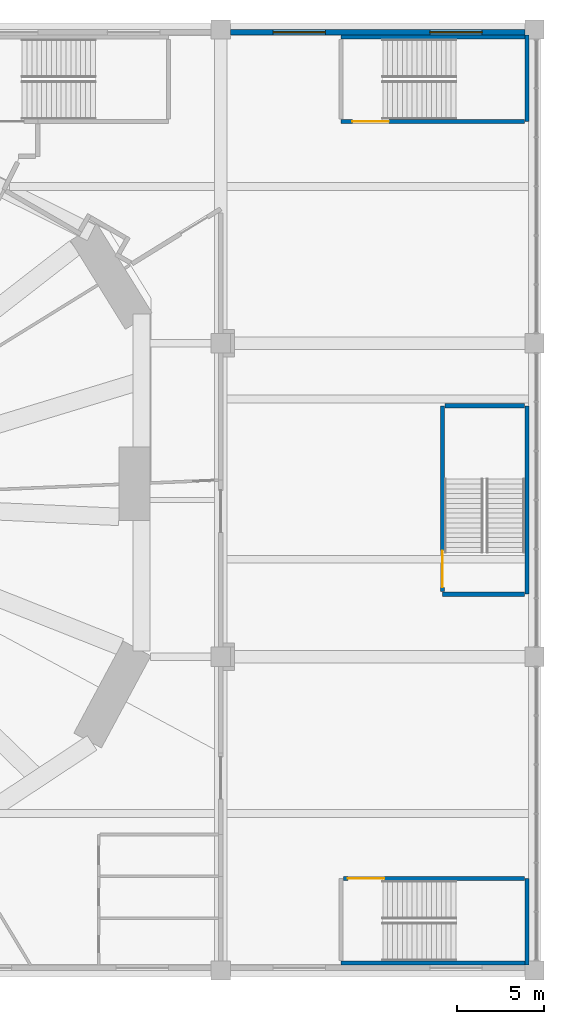
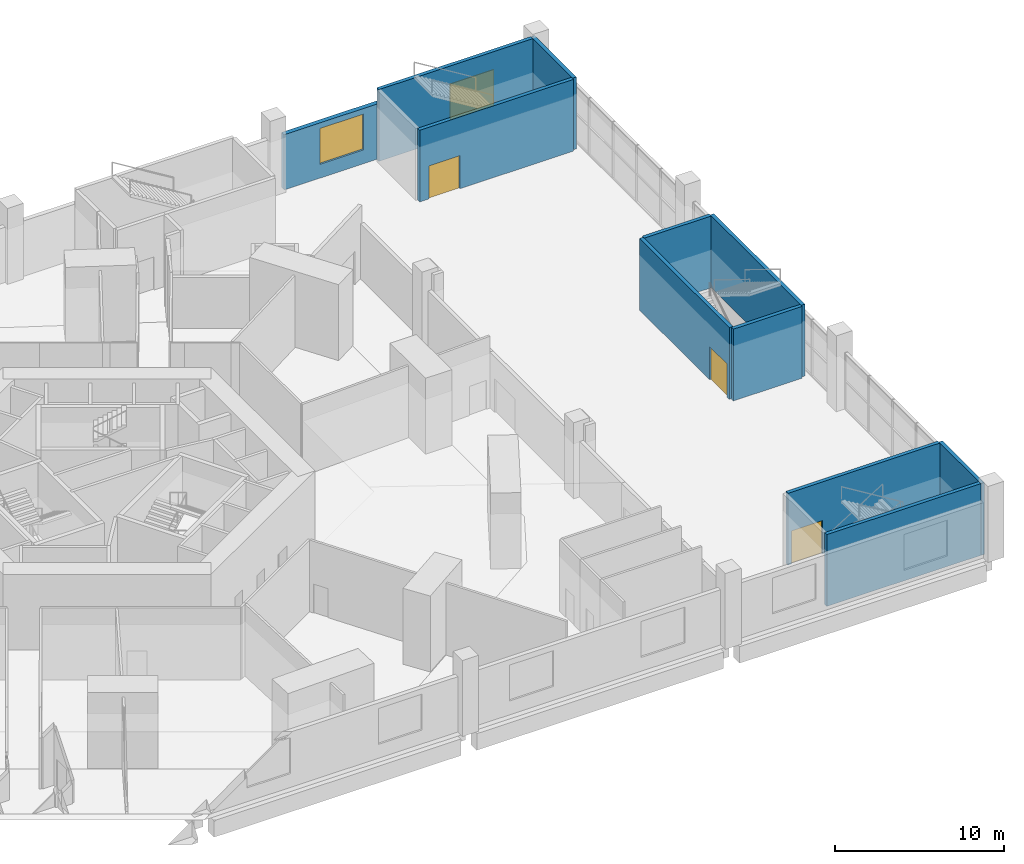
# One storey, part 10 of 16: 11 walls, 3 doors, 2 windows, 5 openings.
"""IFC4 building model written with IfcOpenShell, lengths in metres."""

from ifc_helpers import new_model, si_unit, direction, frame, frame_2d, origin, place, context, subcontext, project, spatial, rectangle, extrude, material, layer, layer_set, type_object, element, fill, save


model = new_model("IFC4")

# Units and contexts
model_context = context("Model", 3, precision=1e-05, world=origin(), true_north=direction((0.0, 1.0)))
body_context = subcontext(model_context, "Body", "Model", "MODEL_VIEW")
ifc_project = project(units=[si_unit("LENGTHUNIT", "METRE"), si_unit("AREAUNIT", "SQUARE_METRE"), si_unit("VOLUMEUNIT", "CUBIC_METRE"), si_unit("PLANEANGLEUNIT", "RADIAN"), si_unit("MASSUNIT", "GRAM", prefix="KILO")], contexts=[model_context])

# Site, building, storey
site_placement = place(None, origin())
site = spatial("IfcSite", under=ifc_project, at=site_placement, CompositionType="ELEMENT")
building_placement = place(site_placement, origin())
building = spatial("IfcBuilding", under=site, at=building_placement, Name="Vanh Sen Convention Tower", CompositionType="ELEMENT")
storey_placement = place(building_placement, frame((0.0, 0.0, 7.5)))
storey = spatial("IfcBuildingStorey", under=building, at=storey_placement, Name="L01", CompositionType="ELEMENT", Elevation=7.5)

# Wall, opening, door
ifc_material_1 = material(Name="Concrete C40/50", Category="concrete")
ifc_layer_1 = layer(ifc_material_1, 0.25)
ifc_layer_set_1 = layer_set([ifc_layer_1], Name="Concrete C40/50")
wall_type_1 = type_object("IfcWallType", Name="Concrete wall 250 REI 180", PredefinedType="SOLIDWALL", material=ifc_layer_set_1)
wall_1_placement = place(storey_placement, frame((34.0400390625, -21.72509765625, 0.0), z_axis=(0.0, 0.0, 1.0), x_axis=(1.0, 0.0, 0.0)))
wall_1 = element("IfcWall", 1, at=wall_1_placement, inside=storey, type_object=wall_type_1, Name="Fire-resisting wall L01-014", PredefinedType="SOLIDWALL", context=body_context, shape_type="SweptSolid", body=[
    extrude(rectangle(XDim=10.39990234375, YDim=0.25, at=frame_2d((5.199951171875, 0.0))), origin(), (0.0, 0.0, 1.0), 5.199951171875),
])
opening_1_placement = place(wall_1_placement, frame((0.25, 0.0, 0.0)))
opening_1 = element("IfcOpeningElement", 2, at=opening_1_placement, cuts=wall_1, Name="Opening D01104", PredefinedType="OPENING", context=body_context, shape_type="SweptSolid", body=[
    extrude(rectangle(XDim=2.10009765625, YDim=2.39990234375, at=frame_2d((1.050048828125, 1.199951171875))), frame((0.0, 0.135009765625, 0.0), z_axis=(0.0, -1.0, 0.0), x_axis=(1.0, 0.0, 0.0)), (0.0, 0.0, 1.0), 0.27001953125),
])
ifc_material_2 = material(Name="Steel S355", Category="steel")
door_type = type_object("IfcDoorType", Name="Stair door 2100 EI 60", OperationType="DOUBLE_DOOR_SINGLE_SWING", PredefinedType="DOOR", material=ifc_material_2)
door_1_placement = place(opening_1_placement, frame((2.10009765625, 0.0, 0.0), z_axis=(0.0, 0.0, 1.0), x_axis=(-1.0, 0.0, 0.0)))
door_1 = element("IfcDoor", 3, at=door_1_placement, inside=storey, type_object=door_type, Name="Stair door D01104", OperationType="DOUBLE_DOOR_SINGLE_SWING", OverallHeight=2.39990234375, OverallWidth=2.10009765625, PredefinedType="DOOR", context=body_context, shape_type="SweptSolid", body=[
    extrude(rectangle(XDim=2.10009765625, YDim=2.39990234375, at=frame_2d((1.050048828125, 1.199951171875))), frame((0.0, 0.02490234375, 0.0), z_axis=(0.0, -1.0, 0.0), x_axis=(1.0, 0.0, 0.0)), (0.0, 0.0, 1.0), 0.050048828125),
])
fill(opening_1, door_1)

# Wall
wall_2_placement = place(storey_placement, frame((44.43994140625, -5.39990234375, 0.0), z_axis=(0.0, 0.0, 1.0), x_axis=(-1.0, 0.0, 0.0)))
element("IfcWall", 4, at=wall_2_placement, inside=storey, type_object=wall_type_1, Name="Fire-resisting wall L01-046", PredefinedType="SOLIDWALL", context=body_context, shape_type="SweptSolid", body=[
    extrude(rectangle(XDim=4.71484375, YDim=0.25, at=frame_2d((2.357421875, 0.0))), origin(), (0.0, 0.0, 1.0), 5.199951171875),
])

# Wall, opening, door
wall_3_placement = place(storey_placement, frame((39.72509765625, -5.260009765625, 0.0), z_axis=(0.0, 0.0, 1.0), x_axis=(0.0, 1.0, 0.0)))
wall_3 = element("IfcWall", 5, at=wall_3_placement, inside=storey, type_object=wall_type_1, Name="Fire-resisting wall L01-047", PredefinedType="SOLIDWALL", context=body_context, shape_type="SweptSolid", body=[
    extrude(rectangle(XDim=10.659912109375, YDim=0.25, at=frame_2d((5.330078125, 0.0))), origin(), (0.0, 0.0, 1.0), 5.199951171875),
])
opening_2_placement = place(wall_3_placement, frame((0.25, 0.0, 0.0)))
opening_2 = element("IfcOpeningElement", 6, at=opening_2_placement, cuts=wall_3, Name="Opening D01113", PredefinedType="OPENING", context=body_context, shape_type="SweptSolid", body=[
    extrude(rectangle(XDim=2.10009765625, YDim=2.39990234375, at=frame_2d((1.050048828125, 1.199951171875))), frame((0.0, 0.135009765625, 0.0), z_axis=(0.0, -1.0, 0.0), x_axis=(1.0, 0.0, 0.0)), (0.0, 0.0, 1.0), 0.27001953125),
])
door_2_placement = place(opening_2_placement, frame((2.10009765625, 0.0, 0.0), z_axis=(0.0, 0.0, 1.0), x_axis=(-1.0, 0.0, 0.0)))
door_2 = element("IfcDoor", 7, at=door_2_placement, inside=storey, type_object=door_type, Name="Stair door D01113", OperationType="DOUBLE_DOOR_SINGLE_SWING", OverallHeight=2.39990234375, OverallWidth=2.10009765625, PredefinedType="DOOR", context=body_context, shape_type="SweptSolid", body=[
    extrude(rectangle(XDim=2.10009765625, YDim=2.39990234375, at=frame_2d((1.050048828125, 1.199951171875))), frame((0.0, 0.02490234375, 0.0), z_axis=(0.0, -1.0, 0.0), x_axis=(1.0, 0.0, 0.0)), (0.0, 0.0, 1.0), 0.050048828125),
])
fill(opening_2, door_2)

# Wall
wall_4_placement = place(storey_placement, frame((39.864990234375, 5.39990234375, 0.0), z_axis=(0.0, 0.0, 1.0), x_axis=(1.0, 0.0, 0.0)))
element("IfcWall", 8, at=wall_4_placement, inside=storey, type_object=wall_type_1, Name="Fire-resisting wall L01-054", PredefinedType="SOLIDWALL", context=body_context, shape_type="SweptSolid", body=[
    extrude(rectangle(XDim=4.574951171875, YDim=0.25, at=frame_2d((2.28759765625, 0.0))), origin(), (0.0, 0.0, 1.0), 5.199951171875),
])

# Wall, opening, door
wall_5_placement = place(storey_placement, frame((44.43994140625, 21.72509765625, 0.0), z_axis=(0.0, 0.0, 1.0), x_axis=(-1.0, 0.0, 0.0)))
wall_5 = element("IfcWall", 9, at=wall_5_placement, inside=storey, type_object=wall_type_1, Name="Fire-resisting wall L01-107", PredefinedType="SOLIDWALL", context=body_context, shape_type="SweptSolid", body=[
    extrude(rectangle(XDim=10.5400390625, YDim=0.25, at=frame_2d((5.27001953125, 0.0))), origin(), (0.0, 0.0, 1.0), 5.199951171875),
])
opening_3_placement = place(wall_5_placement, frame((7.7900390625, 0.0, 0.0)))
opening_3 = element("IfcOpeningElement", 10, at=opening_3_placement, cuts=wall_5, Name="Opening D01124", PredefinedType="OPENING", context=body_context, shape_type="SweptSolid", body=[
    extrude(rectangle(XDim=2.10009765625, YDim=2.39990234375, at=frame_2d((1.050048828125, 1.199951171875))), frame((0.0, 0.135009765625, 0.0), z_axis=(0.0, -1.0, 0.0), x_axis=(1.0, 0.0, 0.0)), (0.0, 0.0, 1.0), 0.27001953125),
])
door_3_placement = place(opening_3_placement, frame((2.10009765625, 0.0, 0.0), z_axis=(0.0, 0.0, 1.0), x_axis=(-1.0, 0.0, 0.0)))
door_3 = element("IfcDoor", 11, at=door_3_placement, inside=storey, type_object=door_type, Name="Stair door D01124", OperationType="DOUBLE_DOOR_SINGLE_SWING", OverallHeight=2.39990234375, OverallWidth=2.10009765625, PredefinedType="DOOR", context=body_context, shape_type="SweptSolid", body=[
    extrude(rectangle(XDim=2.10009765625, YDim=2.39990234375, at=frame_2d((1.050048828125, 1.199951171875))), frame((0.0, 0.02490234375, 0.0), z_axis=(0.0, -1.0, 0.0), x_axis=(1.0, 0.0, 0.0)), (0.0, 0.0, 1.0), 0.050048828125),
])
fill(opening_3, door_3)

# Walls
wall_6_placement = place(storey_placement, frame((44.574951171875, 21.72509765625, 0.0), z_axis=(0.0, 0.0, 1.0), x_axis=(0.0, 1.0, 0.0)))
element("IfcWall", 12, at=wall_6_placement, inside=storey, type_object=wall_type_1, Name="Stair enclosure wall PS1 L01", PredefinedType="SOLIDWALL", context=body_context, shape_type="SweptSolid", body=[
    extrude(rectangle(XDim=4.974853515625, YDim=0.25, at=frame_2d((2.4873046875, 0.0))), origin(), (0.0, 0.0, 1.0), 5.199951171875),
])
wall_7_placement = place(storey_placement, frame((44.449951171875, 26.574951171875, 0.0), z_axis=(0.0, 0.0, 1.0), x_axis=(-1.0, 0.0, 0.0)))
element("IfcWall", 13, at=wall_7_placement, inside=storey, type_object=wall_type_1, Name="Stair enclosure wall PS1 L01", PredefinedType="SOLIDWALL", context=body_context, shape_type="SweptSolid", body=[
    extrude(rectangle(XDim=10.550048828125, YDim=0.25, at=frame_2d((5.27490234375, 0.0))), origin(), (0.0, 0.0, 1.0), 5.199951171875),
])
wall_8_placement = place(storey_placement, frame((44.574951171875, -21.72509765625, 0.0), z_axis=(0.0, 0.0, 1.0), x_axis=(0.0, -1.0, 0.0)))
element("IfcWall", 14, at=wall_8_placement, inside=storey, type_object=wall_type_1, Name="Stair enclosure wall PS2 L01", PredefinedType="SOLIDWALL", context=body_context, shape_type="SweptSolid", body=[
    extrude(rectangle(XDim=4.974853515625, YDim=0.25, at=frame_2d((2.4873046875, 0.0))), origin(), (0.0, 0.0, 1.0), 5.199951171875),
])
wall_9_placement = place(storey_placement, frame((44.449951171875, -26.574951171875, 0.0), z_axis=(0.0, 0.0, 1.0), x_axis=(-1.0, 0.0, 0.0)))
element("IfcWall", 15, at=wall_9_placement, inside=storey, type_object=wall_type_1, Name="Stair enclosure wall PS2 L01", PredefinedType="SOLIDWALL", context=body_context, shape_type="SweptSolid", body=[
    extrude(rectangle(XDim=10.550048828125, YDim=0.25, at=frame_2d((5.27490234375, 0.0))), origin(), (0.0, 0.0, 1.0), 5.199951171875),
])
wall_10_placement = place(storey_placement, frame((44.574951171875, 5.39990234375, 0.0), z_axis=(0.0, 0.0, 1.0), x_axis=(0.0, -1.0, 0.0)))
element("IfcWall", 16, at=wall_10_placement, inside=storey, type_object=wall_type_1, Name="Stair enclosure wall PS3 L01", PredefinedType="SOLIDWALL", context=body_context, shape_type="SweptSolid", body=[
    extrude(rectangle(XDim=10.7998046875, YDim=0.25, at=frame_2d((5.39990234375, 0.0))), origin(), (0.0, 0.0, 1.0), 5.199951171875),
])

# Wall, openings, windows
ifc_material_3 = material(Name="Concrete C50/60", Category="concrete")
ifc_layer_2 = layer(ifc_material_3, 0.300048828125)
ifc_layer_set_2 = layer_set([ifc_layer_2], Name="Concrete C50/60")
wall_type_2 = type_object("IfcWallType", Name="Podium wall 300", PredefinedType="STANDARD", material=ifc_layer_set_2)
wall_11_placement = place(storey_placement, frame((44.449951171875, 26.85009765625, 0.0), z_axis=(0.0, 0.0, 1.0), x_axis=(-1.0, 0.0, 0.0)))
wall_11 = element("IfcWall", 17, at=wall_11_placement, inside=storey, type_object=wall_type_2, Name="Podium wall N1 L01", PredefinedType="STANDARD", context=body_context, shape_type="SweptSolid", body=[
    extrude(rectangle(XDim=16.89990234375, YDim=0.300048828125, at=frame_2d((8.449951171875, 0.0))), origin(), (0.0, 0.0, 1.0), 4.0),
])
opening_4_placement = place(wall_11_placement, frame((2.449951171875, 0.0, 1.0)))
opening_4 = element("IfcOpeningElement", 18, at=opening_4_placement, cuts=wall_11, Name="Opening WP2-N1", PredefinedType="OPENING", context=body_context, shape_type="SweptSolid", body=[
    extrude(rectangle(XDim=3.0, YDim=2.60009765625, at=frame_2d((1.5, 1.300048828125))), frame((0.0, 0.159912109375, 0.0), z_axis=(0.0, -1.0, 0.0), x_axis=(1.0, 0.0, 0.0)), (0.0, 0.0, 1.0), 0.320068359375),
])
opening_5_placement = place(wall_11_placement, frame((11.449951171875, 0.0, 1.0)))
opening_5 = element("IfcOpeningElement", 19, at=opening_5_placement, cuts=wall_11, Name="Opening WP2-N2", PredefinedType="OPENING", context=body_context, shape_type="SweptSolid", body=[
    extrude(rectangle(XDim=3.0, YDim=2.60009765625, at=frame_2d((1.5, 1.300048828125))), frame((0.0, 0.159912109375, 0.0), z_axis=(0.0, -1.0, 0.0), x_axis=(1.0, 0.0, 0.0)), (0.0, 0.0, 1.0), 0.320068359375),
])
ifc_material_4 = material(Name="Aluminium frame with clear low-emissivity glass", Category="aluminium")
window_type = type_object("IfcWindowType", Name="Podium window 3000 x 2600", PartitioningType="SINGLE_PANEL", PredefinedType="WINDOW", material=ifc_material_4)
window_1_placement = place(opening_4_placement, origin())
window_1 = element("IfcWindow", 20, at=window_1_placement, inside=storey, type_object=window_type, Name="Window WP2-N1", OverallHeight=2.60009765625, OverallWidth=3.0, PartitioningType="SINGLE_PANEL", PredefinedType="WINDOW", context=body_context, shape_type="SweptSolid", body=[
    extrude(rectangle(XDim=3.0, YDim=2.60009765625, at=frame_2d((1.5, 1.300048828125))), frame((0.0, 0.030029296875, 0.0), z_axis=(0.0, -1.0, 0.0), x_axis=(1.0, 0.0, 0.0)), (0.0, 0.0, 1.0), 0.06005859375),
])
fill(opening_4, window_1)
window_2_placement = place(opening_5_placement, origin())
window_2 = element("IfcWindow", 21, at=window_2_placement, inside=storey, type_object=window_type, Name="Window WP2-N2", OverallHeight=2.60009765625, OverallWidth=3.0, PartitioningType="SINGLE_PANEL", PredefinedType="WINDOW", context=body_context, shape_type="SweptSolid", body=[
    extrude(rectangle(XDim=3.0, YDim=2.60009765625, at=frame_2d((1.5, 1.300048828125))), frame((0.0, 0.030029296875, 0.0), z_axis=(0.0, -1.0, 0.0), x_axis=(1.0, 0.0, 0.0)), (0.0, 0.0, 1.0), 0.06005859375),
])
fill(opening_5, window_2)

save(model, "model.ifc")
